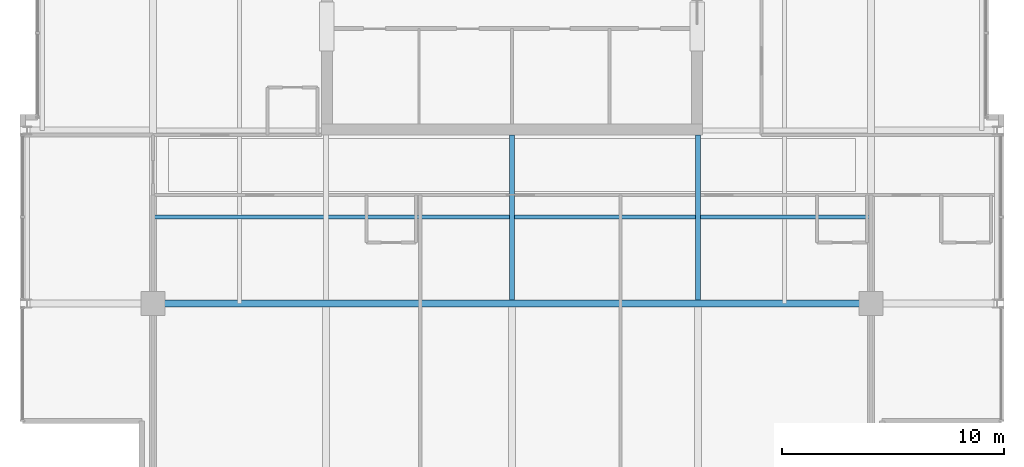
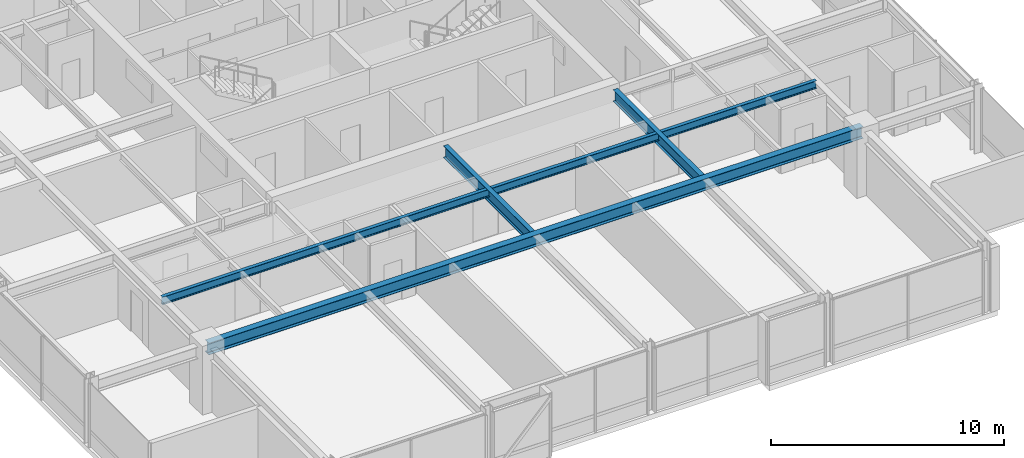
# One storey, part 8 of 32: 4 beams.
"""IFC4 building model written with IfcOpenShell, lengths in metres."""

from ifc_helpers import new_model, si_unit, direction, frame, origin, origin_2d, place, context, subcontext, project, spatial, i_section, extrude, material, material_profile, profile_set, type_object, element, save


model = new_model("IFC4")

# Units and contexts
model_context = context("Model", 3, precision=1e-05, world=origin(), true_north=direction((0.0, 1.0)))
body_context = subcontext(model_context, "Body", "Model", "MODEL_VIEW")
ifc_project = project(units=[si_unit("LENGTHUNIT", "METRE"), si_unit("AREAUNIT", "SQUARE_METRE"), si_unit("VOLUMEUNIT", "CUBIC_METRE"), si_unit("PLANEANGLEUNIT", "RADIAN"), si_unit("MASSUNIT", "GRAM", prefix="KILO")], contexts=[model_context])

# Site, building, storey
site_placement = place(None, origin())
site = spatial("IfcSite", under=ifc_project, at=site_placement, CompositionType="ELEMENT")
building_placement = place(site_placement, origin())
building = spatial("IfcBuilding", under=site, at=building_placement, Name="Drelvath Grand Hotel", CompositionType="ELEMENT")
storey_placement = place(building_placement, frame((0.0, 0.0, 223.10009765625)))
storey = spatial("IfcBuildingStorey", under=building, at=storey_placement, Name="L58", CompositionType="ELEMENT", Elevation=223.10009765625)

# Beams
ifc_material = material(Name="Steel ASTM A992 Gr 50", Category="steel")
ifc_material_profile_1 = material_profile(ifc_material, i_section(OverallWidth=0.177734375, OverallDepth=0.40673828125, WebThickness=0.0078125, FlangeThickness=0.0126953125, FilletRadius=0.014892578125, at=origin_2d()), Name="W16X40")
ifc_profile_set_1 = profile_set([ifc_material_profile_1], Name="Steel ASTM A992 Gr 50")
beam_type_1 = type_object("IfcBeamType", Name="Composite Floor Joist W16X40", PredefinedType="JOIST", material=ifc_profile_set_1)
beam_1_placement = place(storey_placement, frame((-16.199951171875, 14.699951171875, 3.136474609375), z_axis=(1.0, 0.0, 0.0), x_axis=(0.0, 1.0, 0.0)))
element("IfcBeam", 1, at=beam_1_placement, inside=storey, type_object=beam_type_1, Name="L58 Floor Joist J1", PredefinedType="JOIST", context=body_context, shape_type="SweptSolid", body=[
    extrude(i_section(OverallWidth=0.177734375, OverallDepth=0.40673828125, WebThickness=0.0078125, FlangeThickness=0.0126953125, FilletRadius=0.014892578125, at=origin_2d()), origin(), (0.0, 0.0, 1.0), 32.39990234375),
])
ifc_material_profile_2 = material_profile(ifc_material, i_section(OverallWidth=0.323974609375, OverallDepth=0.611083984375, WebThickness=0.0126953125, FlangeThickness=0.01904296875, FilletRadius=0.02197265625, at=origin_2d()), Name="W24X104")
ifc_profile_set_2 = profile_set([ifc_material_profile_2], Name="Steel ASTM A992 Gr 50")
beam_type_2 = type_object("IfcBeamType", Name="Primary Floor Girder W24X104", PredefinedType="BEAM", material=ifc_profile_set_2)
beam_2_placement = place(storey_placement, frame((-16.199951171875, 10.800048828125, 3.034423828125), z_axis=(1.0, 0.0, 0.0), x_axis=(0.0, 1.0, 0.0)))
element("IfcBeam", 2, at=beam_2_placement, inside=storey, type_object=beam_type_2, Name="L58 Mega Ring Girder South", PredefinedType="BEAM", context=body_context, shape_type="SweptSolid", body=[
    extrude(i_section(OverallWidth=0.323974609375, OverallDepth=0.611083984375, WebThickness=0.0126953125, FlangeThickness=0.01904296875, FilletRadius=0.02197265625, at=origin_2d()), origin(), (0.0, 0.0, 1.0), 32.39990234375),
])
ifc_material_profile_3 = material_profile(ifc_material, i_section(OverallWidth=0.228271484375, OverallDepth=0.607666015625, WebThickness=0.01123046875, FlangeThickness=0.017333984375, FilletRadius=0.02001953125, at=origin_2d()), Name="W24X76")
ifc_profile_set_3 = profile_set([ifc_material_profile_3], Name="Steel ASTM A992 Gr 50")
beam_type_3 = type_object("IfcBeamType", Name="Primary Floor Girder W24X76", PredefinedType="BEAM", material=ifc_profile_set_3)
for number, where, z_axis, x_axis, name in (
    (3, (0.0, 10.9619140625, 3.0361328125), (0.0, 1.0, 0.0), (-1.0, 0.0, 0.0), "L58 South Core Tie 5"),
    (4, (8.39990234375, 10.9619140625, 3.0361328125), (0.0, 1.0, 0.0), (-1.0, 0.0, 0.0), "L58 South Core Tie 6"),
):
    element("IfcBeam", number, at=place(storey_placement, frame(where, z_axis=z_axis, x_axis=x_axis)), inside=storey, type_object=beam_type_3, Name=name, PredefinedType="BEAM", context=body_context, shape_type="SweptSolid", body=[
        extrude(i_section(OverallWidth=0.228271484375, OverallDepth=0.607666015625, WebThickness=0.01123046875, FlangeThickness=0.017333984375, FilletRadius=0.02001953125, at=origin_2d()), origin(), (0.0, 0.0, 1.0), 7.43798828125),
    ])

save(model, "model.ifc")
